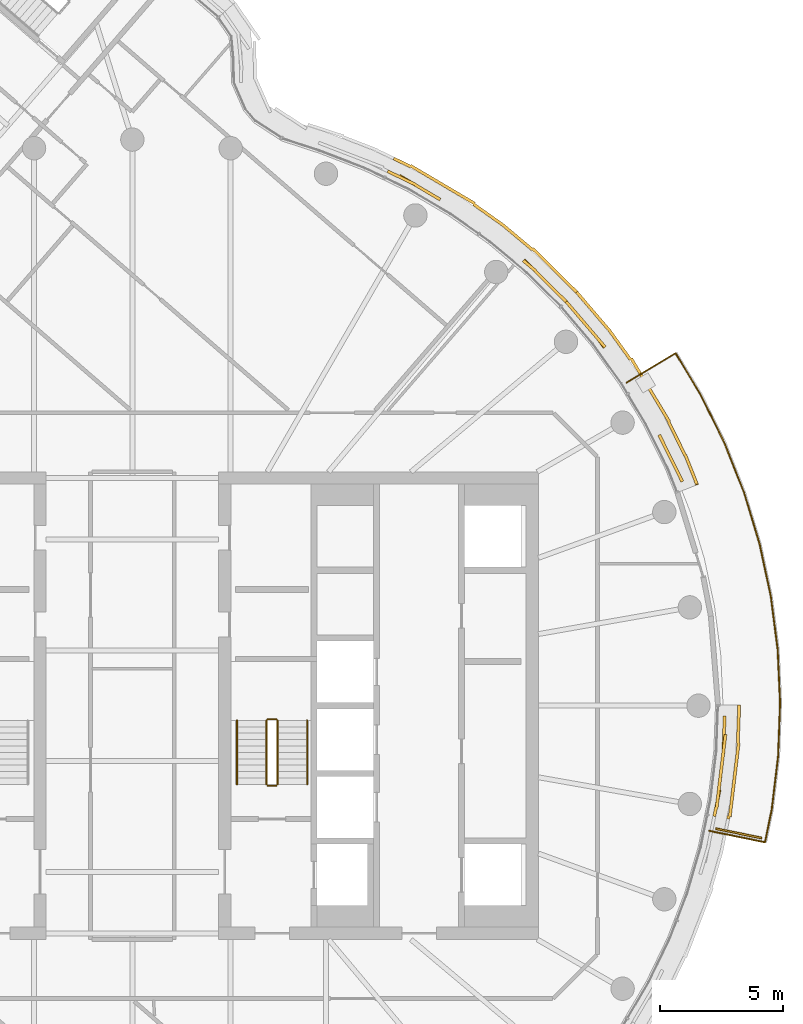
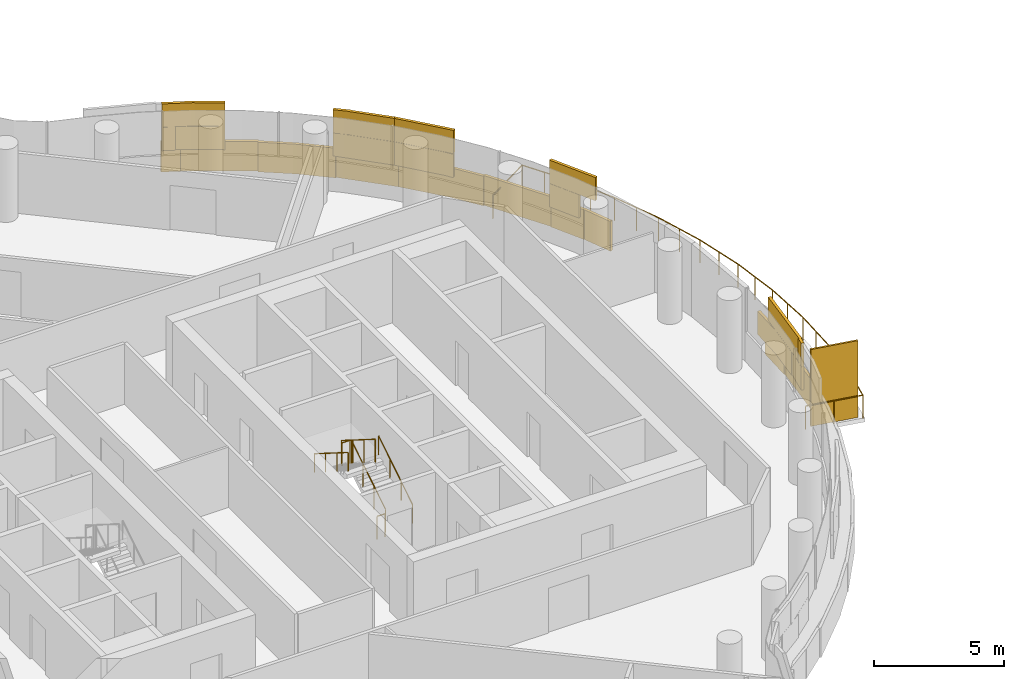
# One storey, part 29 of 32: 7 railings, 3 coverings, 1 shading device.
"""IFC4 building model written with IfcOpenShell, lengths in metres."""

from ifc_helpers import new_model, si_unit, direction, frame, origin, origin_2d, place, context, subcontext, project, spatial, rectangle, circle, extrude, material, layer, layer_set, type_object, element, save


model = new_model("IFC4")

# Units and contexts
model_context = context("Model", 3, precision=1e-05, world=origin(), true_north=direction((0.0, 1.0)))
body_context = subcontext(model_context, "Body", "Model", "MODEL_VIEW")
ifc_project = project(units=[si_unit("LENGTHUNIT", "METRE"), si_unit("AREAUNIT", "SQUARE_METRE"), si_unit("VOLUMEUNIT", "CUBIC_METRE"), si_unit("PLANEANGLEUNIT", "RADIAN"), si_unit("MASSUNIT", "GRAM", prefix="KILO")], contexts=[model_context])

# Site, building, storey
site_placement = place(None, origin())
site = spatial("IfcSite", under=ifc_project, at=site_placement, CompositionType="ELEMENT")
building_placement = place(site_placement, origin())
building = spatial("IfcBuilding", under=site, at=building_placement, Name="Tamarind Cross Interchange Tower", CompositionType="ELEMENT")
storey_placement = place(building_placement, frame((0.0, 0.0, 211.300048828125)))
storey = spatial("IfcBuildingStorey", under=building, at=storey_placement, Name="L53", CompositionType="ELEMENT", Elevation=211.300048828125)

# Railing
ifc_material_1 = material(Name="Stainless steel and laminated glass", Category="steel")
railing_type_1 = type_object("IfcRailingType", Name="Balcony guard", PredefinedType="BALUSTRADE", material=ifc_material_1)
railing_1_placement = place(storey_placement, frame((23.43212890625, -5.0830078125, 0.0)))
element("IfcRailing", 1, at=railing_1_placement, inside=storey, type_object=railing_type_1, Name="Balcony guard 06", PredefinedType="BALUSTRADE", context=body_context, shape_type="SweptSolid", body=[
    extrude(circle(Radius=0.02490234375, at=origin_2d()), frame((0.0, 0.0, 1.0751953125), z_axis=(0.979588887442, -0.201011471316, 0.0), x_axis=(0.201011471316, 0.979588887442, 0.0)), (0.0, 0.0, 1.0), 2.31982421875),
    extrude(circle(Radius=0.02490234375, at=origin_2d()), frame((2.2724609375, -0.46630859375, 1.0751953125), z_axis=(0.20095742399, 0.97959997639, 0.0), x_axis=(-0.97959997639, 0.20095742399, 0.0)), (0.0, 0.0, 1.0), 1.35693359375),
    extrude(circle(Radius=0.02490234375, at=origin_2d()), frame((2.545166015625, 0.863037109375, 1.0751953125), z_axis=(0.11941961124, 0.99284387315, 0.0), x_axis=(-0.99284387315, 0.11941961124, 0.0)), (0.0, 0.0, 1.0), 2.17529296875),
    extrude(circle(Radius=0.02490234375, at=origin_2d()), frame((2.804931640625, 3.022705078125, 1.0751953125), z_axis=(0.037040721085, 0.999313757026, 0.0), x_axis=(-0.999313757026, 0.037040721085, 0.0)), (0.0, 0.0, 1.0), 2.175048828125),
    extrude(circle(Radius=0.02490234375, at=origin_2d()), frame((2.885498046875, 5.1962890625, 1.0751953125), z_axis=(-0.045570585979, 0.998961121212, 0.0), x_axis=(-0.998961121212, -0.045570585979, 0.0)), (0.0, 0.0, 1.0), 2.175048828125),
    extrude(circle(Radius=0.02490234375, at=origin_2d()), frame((2.786376953125, 7.369140625, 1.0751953125), z_axis=(-0.127957091824, 0.991779704699, 0.0), x_axis=(-0.991779704699, -0.127957091824, 0.0)), (0.0, 0.0, 1.0), 2.175048828125),
    extrude(circle(Radius=0.02490234375, at=origin_2d()), frame((2.508056640625, 9.5263671875, 1.0751953125), z_axis=(-0.209437106955, 0.977822119933, 0.0), x_axis=(-0.977822119933, -0.209437106955, 0.0)), (0.0, 0.0, 1.0), 2.17529296875),
    extrude(circle(Radius=0.02490234375, at=origin_2d()), frame((2.052490234375, 11.6533203125, 1.0751953125), z_axis=(-0.289468424656, 0.957187563191, 0.0), x_axis=(-0.957187563191, -0.289468424656, 0.0)), (0.0, 0.0, 1.0), 2.175048828125),
    extrude(circle(Radius=0.02490234375, at=origin_2d()), frame((1.4228515625, 13.7353515625, 1.0751953125), z_axis=(-0.367439931593, 0.930047255074, 0.0), x_axis=(-0.930047255074, -0.367439931593, 0.0)), (0.0, 0.0, 1.0), 2.17529296875),
    extrude(circle(Radius=0.02490234375, at=origin_2d()), frame((0.62353515625, 15.758544921875, 1.0751953125), z_axis=(-0.443123395184, 0.896460627491, 0.0), x_axis=(-0.896460627491, -0.443123395184, 0.0)), (0.0, 0.0, 1.0), 2.175048828125),
    extrude(circle(Radius=0.02490234375, at=origin_2d()), frame((-0.34033203125, 17.70849609375, 1.0751953125), z_axis=(-0.515620820656, 0.856816882015, 0.0), x_axis=(-0.856816882015, -0.515620820656, 0.0)), (0.0, 0.0, 1.0), 1.977783203125),
    extrude(circle(Radius=0.02490234375, at=origin_2d()), frame((-1.360107421875, 19.403076171875, 1.0751953125), z_axis=(-0.856851544285, -0.515563217324, 0.0), x_axis=(0.515563217324, -0.856851544285, 0.0)), (0.0, 0.0, 1.0), 2.31982421875),
    extrude(circle(Radius=0.02001953125, at=origin_2d()), origin(), (0.0, 0.0, 1.0), 1.050048828125),
    extrude(circle(Radius=0.02001953125, at=origin_2d()), frame((1.13623046875, -0.233154296875, 0.0)), (0.0, 0.0, 1.0), 1.050048828125),
    extrude(circle(Radius=0.02001953125, at=origin_2d()), frame((2.2724609375, -0.46630859375, 0.0)), (0.0, 0.0, 1.0), 1.050048828125),
    extrude(circle(Radius=0.02001953125, at=origin_2d()), frame((2.40869140625, 0.1982421875, 0.0)), (0.0, 0.0, 1.0), 1.050048828125),
    extrude(circle(Radius=0.02001953125, at=origin_2d()), frame((2.545166015625, 0.863037109375, 0.0)), (0.0, 0.0, 1.0), 1.050048828125),
    extrude(circle(Radius=0.02001953125, at=origin_2d()), frame((2.675048828125, 1.94287109375, 0.0)), (0.0, 0.0, 1.0), 1.050048828125),
    extrude(circle(Radius=0.02001953125, at=origin_2d()), frame((2.804931640625, 3.022705078125, 0.0)), (0.0, 0.0, 1.0), 1.050048828125),
    extrude(circle(Radius=0.02001953125, at=origin_2d()), frame((2.84521484375, 4.109375, 0.0)), (0.0, 0.0, 1.0), 1.050048828125),
    extrude(circle(Radius=0.02001953125, at=origin_2d()), frame((2.885498046875, 5.1962890625, 0.0)), (0.0, 0.0, 1.0), 1.050048828125),
    extrude(circle(Radius=0.02001953125, at=origin_2d()), frame((2.8359375, 6.28271484375, 0.0)), (0.0, 0.0, 1.0), 1.050048828125),
    extrude(circle(Radius=0.02001953125, at=origin_2d()), frame((2.786376953125, 7.369140625, 0.0)), (0.0, 0.0, 1.0), 1.050048828125),
    extrude(circle(Radius=0.02001953125, at=origin_2d()), frame((2.647216796875, 8.44775390625, 0.0)), (0.0, 0.0, 1.0), 1.050048828125),
    extrude(circle(Radius=0.02001953125, at=origin_2d()), frame((2.508056640625, 9.5263671875, 0.0)), (0.0, 0.0, 1.0), 1.050048828125),
    extrude(circle(Radius=0.02001953125, at=origin_2d()), frame((2.2802734375, 10.58984375, 0.0)), (0.0, 0.0, 1.0), 1.050048828125),
    extrude(circle(Radius=0.02001953125, at=origin_2d()), frame((2.052490234375, 11.6533203125, 0.0)), (0.0, 0.0, 1.0), 1.050048828125),
    extrude(circle(Radius=0.02001953125, at=origin_2d()), frame((1.73779296875, 12.6943359375, 0.0)), (0.0, 0.0, 1.0), 1.050048828125),
    extrude(circle(Radius=0.02001953125, at=origin_2d()), frame((1.4228515625, 13.7353515625, 0.0)), (0.0, 0.0, 1.0), 1.050048828125),
    extrude(circle(Radius=0.02001953125, at=origin_2d()), frame((1.023193359375, 14.7470703125, 0.0)), (0.0, 0.0, 1.0), 1.050048828125),
    extrude(circle(Radius=0.02001953125, at=origin_2d()), frame((0.62353515625, 15.758544921875, 0.0)), (0.0, 0.0, 1.0), 1.050048828125),
    extrude(circle(Radius=0.02001953125, at=origin_2d()), frame((0.1416015625, 16.7333984375, 0.0)), (0.0, 0.0, 1.0), 1.050048828125),
    extrude(circle(Radius=0.02001953125, at=origin_2d()), frame((-0.34033203125, 17.70849609375, 0.0)), (0.0, 0.0, 1.0), 1.050048828125),
    extrude(circle(Radius=0.02001953125, at=origin_2d()), frame((-0.85009765625, 18.5556640625, 0.0)), (0.0, 0.0, 1.0), 1.050048828125),
    extrude(circle(Radius=0.02001953125, at=origin_2d()), frame((-1.360107421875, 19.403076171875, 0.0)), (0.0, 0.0, 1.0), 1.050048828125),
    extrude(circle(Radius=0.02001953125, at=origin_2d()), frame((-2.35400390625, 18.80517578125, 0.0)), (0.0, 0.0, 1.0), 1.050048828125),
    extrude(circle(Radius=0.02001953125, at=origin_2d()), frame((-3.347900390625, 18.20703125, 0.0)), (0.0, 0.0, 1.0), 1.050048828125),
])

# Shading device
ifc_material_2 = material(Name="Bronze-finish aluminium louvre", Category="aluminium")
ifc_layer_1 = layer(ifc_material_2, 0.080078125)
ifc_layer_set_1 = layer_set([ifc_layer_1], Name="Bronze-finish aluminium louvre")
shading_device_type = type_object("IfcShadingDeviceType", Name="Operable louvre bay", PredefinedType="JALOUSIE", material=ifc_layer_set_1)
shading_device_placement = place(storey_placement, origin())
element("IfcShadingDevice", 2, at=shading_device_placement, inside=storey, type_object=shading_device_type, Name="LVR-L53-BAL06", PredefinedType="JALOUSIE", context=body_context, shape_type="SweptSolid", body=[
    extrude(rectangle(XDim=1.89990234375, YDim=0.080078125, at=origin_2d()), frame((24.6357421875, -5.18701171875, 0.0), z_axis=(0.0, 0.0, 1.0), x_axis=(0.9795909409, -0.201001463943, 0.0)), (0.0, 0.0, 1.0), 3.60009765625),
])

# Railings
ifc_material_3 = material(Name="Stair guard")
railing_type_2 = type_object("IfcRailingType", Name="Stair guard", PredefinedType="GUARDRAIL", material=ifc_material_3)
railing_2_placement = place(storey_placement, frame((5.89990234375, -3.199951171875, 0.16357421875)))
element("IfcRailing", 3, at=railing_2_placement, inside=storey, type_object=railing_type_2, Name="L53 ST2 stair guard 1", PredefinedType="GUARDRAIL", context=body_context, shape_type="SweptSolid", body=[
    extrude(circle(Radius=0.02392578125, at=origin_2d()), frame((0.0, 0.0, 1.076171875), z_axis=(0.0, 0.846301844409, 0.532703658848), x_axis=(-1.0, 0.0, 0.0)), (0.0, 0.0, 1.0), 3.072021484375),
    extrude(circle(Radius=0.02099609375, at=origin_2d()), origin(), (0.0, 0.0, 1.0), 1.052001953125),
    extrude(circle(Radius=0.02099609375, at=origin_2d()), frame((0.0, 0.86669921875, 0.54541015625)), (0.0, 0.0, 1.0), 1.052001953125),
    extrude(circle(Radius=0.02099609375, at=origin_2d()), frame((0.0, 1.733154296875, 1.091064453125)), (0.0, 0.0, 1.0), 1.052001953125),
    extrude(circle(Radius=0.02099609375, at=origin_2d()), frame((0.0, 2.599853515625, 1.636474609375)), (0.0, 0.0, 1.0), 1.052001953125),
])
railing_3_placement = place(storey_placement, frame((5.85009765625, -0.550048828125, 1.800048828125)))
element("IfcRailing", 4, at=railing_3_placement, inside=storey, type_object=railing_type_2, Name="L53 ST2 stair guard 2", PredefinedType="GUARDRAIL", context=body_context, shape_type="SweptSolid", body=[
    extrude(circle(Radius=0.02392578125, at=origin_2d()), frame((0.0, 0.0, 1.076171875), z_axis=(-1.0, 0.0, 0.0), x_axis=(0.0, -1.0, 0.0)), (0.0, 0.0, 1.0), 0.35009765625),
    extrude(circle(Radius=0.02099609375, at=origin_2d()), origin(), (0.0, 0.0, 1.0), 1.052001953125),
    extrude(circle(Radius=0.02099609375, at=origin_2d()), frame((-0.35009765625, 0.0, 0.0)), (0.0, 0.0, 1.0), 1.052001953125),
])
railing_4_placement = place(storey_placement, frame((5.449951171875, -0.60009765625, 1.963623046875)))
element("IfcRailing", 5, at=railing_4_placement, inside=storey, type_object=railing_type_2, Name="L53 ST2 stair guard 3", PredefinedType="GUARDRAIL", context=body_context, shape_type="SweptSolid", body=[
    extrude(circle(Radius=0.02392578125, at=origin_2d()), frame((0.0, 0.0, 1.076171875), z_axis=(0.0, -0.846337672412, 0.532646734952), x_axis=(1.0, 0.0, 0.0)), (0.0, 0.0, 1.0), 3.07177734375),
    extrude(circle(Radius=0.02099609375, at=origin_2d()), origin(), (0.0, 0.0, 1.0), 1.052001953125),
    extrude(circle(Radius=0.02099609375, at=origin_2d()), frame((0.0, -0.86669921875, 0.54541015625)), (0.0, 0.0, 1.0), 1.052001953125),
    extrude(circle(Radius=0.02099609375, at=origin_2d()), frame((0.0, -1.733154296875, 1.0908203125)), (0.0, 0.0, 1.0), 1.052001953125),
    extrude(circle(Radius=0.02099609375, at=origin_2d()), frame((0.0, -2.599853515625, 1.63623046875)), (0.0, 0.0, 1.0), 1.052001953125),
])
railing_5_placement = place(storey_placement, frame((5.85009765625, -3.25, 0.0)))
element("IfcRailing", 6, at=railing_5_placement, inside=storey, type_object=railing_type_2, Name="L53 ST2 stair guard 4", PredefinedType="GUARDRAIL", context=body_context, shape_type="SweptSolid", body=[
    extrude(circle(Radius=0.02392578125, at=origin_2d()), frame((0.0, 0.0, 1.076171875), z_axis=(-1.0, 0.0, 0.0), x_axis=(0.0, -1.0, 0.0)), (0.0, 0.0, 1.0), 0.35009765625),
    extrude(circle(Radius=0.02099609375, at=origin_2d()), origin(), (0.0, 0.0, 1.0), 1.052001953125),
    extrude(circle(Radius=0.02099609375, at=origin_2d()), frame((-0.35009765625, 0.0, 0.0)), (0.0, 0.0, 1.0), 1.052001953125),
])
ifc_material_4 = material(Name="Stair handrail")
railing_type_3 = type_object("IfcRailingType", Name="Stair handrail", PredefinedType="HANDRAIL", material=ifc_material_4)
railing_6_placement = place(storey_placement, frame((7.10009765625, -3.199951171875, 0.16357421875)))
element("IfcRailing", 7, at=railing_6_placement, inside=storey, type_object=railing_type_3, Name="L53 ST2 stair handrail 1", PredefinedType="HANDRAIL", context=body_context, shape_type="SweptSolid", body=[
    extrude(circle(Radius=0.02392578125, at=origin_2d()), frame((0.0, 0.0, 0.8759765625), z_axis=(0.0, 0.846301844409, 0.532703658848), x_axis=(-1.0, 0.0, 0.0)), (0.0, 0.0, 1.0), 3.072021484375),
    extrude(circle(Radius=0.02099609375, at=origin_2d()), origin(), (0.0, 0.0, 1.0), 0.851806640625),
    extrude(circle(Radius=0.02099609375, at=origin_2d()), frame((0.0, 0.86669921875, 0.54541015625)), (0.0, 0.0, 1.0), 0.851806640625),
    extrude(circle(Radius=0.02099609375, at=origin_2d()), frame((0.0, 1.733154296875, 1.091064453125)), (0.0, 0.0, 1.0), 0.851806640625),
    extrude(circle(Radius=0.02099609375, at=origin_2d()), frame((0.0, 2.599853515625, 1.636474609375)), (0.0, 0.0, 1.0), 0.851806640625),
])
railing_7_placement = place(storey_placement, frame((4.25, -0.60009765625, 1.963623046875)))
element("IfcRailing", 8, at=railing_7_placement, inside=storey, type_object=railing_type_3, Name="L53 ST2 stair handrail 2", PredefinedType="HANDRAIL", context=body_context, shape_type="SweptSolid", body=[
    extrude(circle(Radius=0.02392578125, at=origin_2d()), frame((0.0, 0.0, 0.8759765625), z_axis=(0.0, -0.846337672412, 0.532646734952), x_axis=(1.0, 0.0, 0.0)), (0.0, 0.0, 1.0), 3.07177734375),
    extrude(circle(Radius=0.02099609375, at=origin_2d()), origin(), (0.0, 0.0, 1.0), 0.851806640625),
    extrude(circle(Radius=0.02099609375, at=origin_2d()), frame((0.0, -0.86669921875, 0.54541015625)), (0.0, 0.0, 1.0), 0.851806640625),
    extrude(circle(Radius=0.02099609375, at=origin_2d()), frame((0.0, -1.733154296875, 1.0908203125)), (0.0, 0.0, 1.0), 0.851806640625),
    extrude(circle(Radius=0.02099609375, at=origin_2d()), frame((0.0, -2.599853515625, 1.63623046875)), (0.0, 0.0, 1.0), 0.851806640625),
])

# Coverings
ifc_material_5 = material(Name="Terracotta", Category="masonry")
ifc_layer_2 = layer(ifc_material_5, 0.1201171875)
ifc_layer_set_2 = layer_set([ifc_layer_2], Name="Terracotta")
covering_type = type_object("IfcCoveringType", Name="Terracotta baguette screen unit", PredefinedType="MOLDING", material=ifc_layer_set_2)
covering_1_placement = place(storey_placement, origin())
element("IfcCovering", 9, at=covering_1_placement, inside=storey, type_object=covering_type, Name="SCR-L53-06-02", PredefinedType="MOLDING", context=body_context, shape_type="SweptSolid", body=[
    extrude(rectangle(XDim=1.103759765625, YDim=0.1201171875, at=origin_2d()), frame((23.755126953125, -3.956298828125, 1.40380859375), z_axis=(0.0, 0.0, 1.0), x_axis=(0.201001463943, 0.9795909409, 0.0)), (0.0, 0.0, 1.0), 1.092041015625),
    extrude(rectangle(XDim=1.52001953125, YDim=0.1201171875, at=origin_2d()), frame((23.917724609375, -2.670166015625, 1.40380859375), z_axis=(0.0, 0.0, 1.0), x_axis=(0.119420963295, 0.992843710523, 0.0)), (0.0, 0.0, 1.0), 1.092041015625),
    extrude(rectangle(XDim=1.52001953125, YDim=0.1201171875, at=origin_2d()), frame((24.038330078125, -1.17626953125, 1.40380859375), z_axis=(0.0, 0.0, 1.0), x_axis=(0.037024696392, 0.999314350871, 0.0)), (0.0, 0.0, 1.0), 1.092041015625),
    extrude(rectangle(XDim=0.353759765625, YDim=0.1201171875, at=origin_2d()), frame((23.6796875, -4.32373046875, 2.50390625), z_axis=(0.0, 0.0, 1.0), x_axis=(0.201001463943, 0.9795909409, 0.0)), (0.0, 0.0, 1.0), 1.092041015625),
    extrude(rectangle(XDim=1.52001953125, YDim=0.1201171875, at=origin_2d()), frame((23.828125, -3.414794921875, 2.50390625), z_axis=(0.0, 0.0, 1.0), x_axis=(0.119420963295, 0.992843710523, 0.0)), (0.0, 0.0, 1.0), 1.092041015625),
    extrude(rectangle(XDim=1.52001953125, YDim=0.1201171875, at=origin_2d()), frame((24.00732421875, -1.925537109375, 2.50390625), z_axis=(0.0, 0.0, 1.0), x_axis=(0.119420963295, 0.992843710523, 0.0)), (0.0, 0.0, 1.0), 1.092041015625),
    extrude(rectangle(XDim=0.122314453125, YDim=0.1201171875, at=origin_2d()), frame((24.221435546875, -4.5390625, 0.00390625), z_axis=(0.0, 0.0, 1.0), x_axis=(0.201001463943, 0.9795909409, 0.0)), (0.0, 0.0, 1.0), 1.39208984375),
    extrude(rectangle(XDim=1.52001953125, YDim=0.1201171875, at=origin_2d()), frame((24.36572265625, -3.751708984375, 0.00390625), z_axis=(0.0, 0.0, 1.0), x_axis=(0.119420963295, 0.992843710523, 0.0)), (0.0, 0.0, 1.0), 1.39208984375),
    extrude(rectangle(XDim=1.52001953125, YDim=0.1201171875, at=origin_2d()), frame((24.544921875, -2.262451171875, 0.00390625), z_axis=(0.0, 0.0, 1.0), x_axis=(0.119420963295, 0.992843710523, 0.0)), (0.0, 0.0, 1.0), 1.39208984375),
    extrude(rectangle(XDim=1.52001953125, YDim=0.1201171875, at=origin_2d()), frame((24.6279296875, -0.765625, 0.00390625), z_axis=(0.0, 0.0, 1.0), x_axis=(0.037024696392, 0.999314350871, 0.0)), (0.0, 0.0, 1.0), 1.39208984375),
    extrude(rectangle(XDim=0.057861328125, YDim=0.1201171875, at=origin_2d()), frame((24.656494140625, 0.0029296875, 0.00390625), z_axis=(0.0, 0.0, 1.0), x_axis=(0.037024696392, 0.999314350871, 0.0)), (0.0, 0.0, 1.0), 1.39208984375),
    extrude(rectangle(XDim=0.03076171875, YDim=0.1201171875, at=origin_2d()), frame((22.941650390625, 8.98828125, 0.00390625), z_axis=(0.0, 0.0, 1.0), x_axis=(-0.367513773146, 0.930018078613, 0.0)), (0.0, 0.0, 1.0), 1.39208984375),
])
covering_2_placement = place(storey_placement, origin())
element("IfcCovering", 10, at=covering_2_placement, inside=storey, type_object=covering_type, Name="SCR-L53-06-03", PredefinedType="MOLDING", context=body_context, shape_type="SweptSolid", body=[
    extrude(rectangle(XDim=1.364990234375, YDim=0.1201171875, at=origin_2d()), frame((21.708251953125, 10.3916015625, 1.40380859375), z_axis=(0.0, 0.0, 1.0), x_axis=(-0.443058811505, 0.896492548518, 0.0)), (0.0, 0.0, 1.0), 1.092041015625),
    extrude(rectangle(XDim=0.454833984375, YDim=0.1201171875, at=origin_2d()), frame((19.048095703125, 14.73046875, 1.40380859375), z_axis=(0.0, 0.0, 1.0), x_axis=(-0.584573890505, 0.811340475102, 0.0)), (0.0, 0.0, 1.0), 1.092041015625),
    extrude(rectangle(XDim=1.52001953125, YDim=0.1201171875, at=origin_2d()), frame((18.427978515625, 15.47900390625, 1.40380859375), z_axis=(0.0, 0.0, 1.0), x_axis=(-0.64957723968, 0.760295606781, 0.0)), (0.0, 0.0, 1.0), 1.092041015625),
    extrude(rectangle(XDim=0.486572265625, YDim=0.1201171875, at=origin_2d()), frame((17.785888671875, 16.230224609375, 1.40380859375), z_axis=(0.0, 0.0, 1.0), x_axis=(-0.64957723968, 0.760295606781, 0.0)), (0.0, 0.0, 1.0), 1.092041015625),
    extrude(rectangle(XDim=1.52001953125, YDim=0.1201171875, at=origin_2d()), frame((22.008544921875, 9.7841796875, 2.50390625), z_axis=(0.0, 0.0, 1.0), x_axis=(-0.443058811505, 0.896492548518, 0.0)), (0.0, 0.0, 1.0), 1.092041015625),
    extrude(rectangle(XDim=0.614990234375, YDim=0.1201171875, at=origin_2d()), frame((21.542236328125, 10.727783203125, 2.50390625), z_axis=(0.0, 0.0, 1.0), x_axis=(-0.443058811505, 0.896492548518, 0.0)), (0.0, 0.0, 1.0), 1.092041015625),
    extrude(rectangle(XDim=1.204833984375, YDim=0.1201171875, at=origin_2d()), frame((18.81591796875, 15.024658203125, 2.50390625), z_axis=(0.0, 0.0, 1.0), x_axis=(-0.64957723968, 0.760295606781, 0.0)), (0.0, 0.0, 1.0), 1.092041015625),
    extrude(rectangle(XDim=1.236572265625, YDim=0.1201171875, at=origin_2d()), frame((18.029541015625, 15.9453125, 2.50390625), z_axis=(0.0, 0.0, 1.0), x_axis=(-0.64957723968, 0.760295606781, 0.0)), (0.0, 0.0, 1.0), 1.092041015625),
    extrude(rectangle(XDim=1.2724609375, YDim=0.1201171875, at=origin_2d()), frame((22.7021484375, 9.594482421875, 0.00390625), z_axis=(0.0, 0.0, 1.0), x_axis=(-0.367513773146, 0.930018078613, 0.0)), (0.0, 0.0, 1.0), 1.39208984375),
    extrude(rectangle(XDim=1.52001953125, YDim=0.1201171875, at=origin_2d()), frame((22.12548828125, 10.843017578125, 0.00390625), z_axis=(0.0, 0.0, 1.0), x_axis=(-0.443058811505, 0.896492548518, 0.0)), (0.0, 0.0, 1.0), 1.39208984375),
    extrude(rectangle(XDim=1.52001953125, YDim=0.1201171875, at=origin_2d()), frame((21.43212890625, 12.171875, 0.00390625), z_axis=(0.0, 0.0, 1.0), x_axis=(-0.515577308909, 0.856843065292, 0.0)), (0.0, 0.0, 1.0), 1.39208984375),
    extrude(rectangle(XDim=1.52001953125, YDim=0.1201171875, at=origin_2d()), frame((20.65869140625, 13.45703125, 0.00390625), z_axis=(0.0, 0.0, 1.0), x_axis=(-0.515577308909, 0.856843065292, 0.0)), (0.0, 0.0, 1.0), 1.39208984375),
    extrude(rectangle(XDim=1.52001953125, YDim=0.1201171875, at=origin_2d()), frame((19.79150390625, 14.680419921875, 0.00390625), z_axis=(0.0, 0.0, 1.0), x_axis=(-0.584573890505, 0.811340475102, 0.0)), (0.0, 0.0, 1.0), 1.39208984375),
    extrude(rectangle(XDim=1.52001953125, YDim=0.1201171875, at=origin_2d()), frame((18.861083984375, 15.85546875, 0.00390625), z_axis=(0.0, 0.0, 1.0), x_axis=(-0.64957723968, 0.760295606781, 0.0)), (0.0, 0.0, 1.0), 1.39208984375),
    extrude(rectangle(XDim=0.506103515625, YDim=0.1201171875, at=origin_2d()), frame((18.216064453125, 16.610595703125, 0.00390625), z_axis=(0.0, 0.0, 1.0), x_axis=(-0.64957723968, 0.760295606781, 0.0)), (0.0, 0.0, 1.0), 1.39208984375),
])
covering_3_placement = place(storey_placement, origin())
element("IfcCovering", 11, at=covering_3_placement, inside=storey, type_object=covering_type, Name="SCR-L53-06-04", PredefinedType="MOLDING", context=body_context, shape_type="SweptSolid", body=[
    extrude(rectangle(XDim=1.033447265625, YDim=0.1201171875, at=origin_2d()), frame((17.26611328125, 16.77001953125, 1.40380859375), z_axis=(0.0, 0.0, 1.0), x_axis=(-0.710143317658, 0.704057148523, 0.0)), (0.0, 0.0, 1.0), 1.092041015625),
    extrude(rectangle(XDim=1.407958984375, YDim=0.1201171875, at=origin_2d()), frame((16.40625, 17.62255859375, 1.40380859375), z_axis=(0.0, 0.0, 1.0), x_axis=(-0.710143317658, 0.704057148523, 0.0)), (0.0, 0.0, 1.0), 1.092041015625),
    extrude(rectangle(XDim=0.411865234375, YDim=0.1201171875, at=origin_2d()), frame((12.3291015625, 20.667724609375, 1.40380859375), z_axis=(0.0, 0.0, 1.0), x_axis=(-0.861248933065, 0.508183308752, 0.0)), (0.0, 0.0, 1.0), 1.092041015625),
    extrude(rectangle(XDim=1.52001953125, YDim=0.1201171875, at=origin_2d()), frame((11.51025390625, 21.15087890625, 1.40380859375), z_axis=(0.0, 0.0, 1.0), x_axis=(-0.861248933065, 0.508183308752, 0.0)), (0.0, 0.0, 1.0), 1.092041015625),
    extrude(rectangle(XDim=0.52978515625, YDim=0.1201171875, at=origin_2d()), frame((10.607177734375, 21.60205078125, 1.40380859375), z_axis=(0.0, 0.0, 1.0), x_axis=(-0.900272776334, 0.435326231914, 0.0)), (0.0, 0.0, 1.0), 1.092041015625),
    extrude(rectangle(XDim=0.283447265625, YDim=0.1201171875, at=origin_2d()), frame((17.5322265625, 16.506103515625, 2.50390625), z_axis=(0.0, 0.0, 1.0), x_axis=(-0.710143317658, 0.704057148523, 0.0)), (0.0, 0.0, 1.0), 1.092041015625),
    extrude(rectangle(XDim=1.52001953125, YDim=0.1201171875, at=origin_2d()), frame((16.902587890625, 17.13037109375, 2.50390625), z_axis=(0.0, 0.0, 1.0), x_axis=(-0.710143317658, 0.704057148523, 0.0)), (0.0, 0.0, 1.0), 1.092041015625),
    extrude(rectangle(XDim=0.657958984375, YDim=0.1201171875, at=origin_2d()), frame((16.13232421875, 17.878173828125, 2.50390625), z_axis=(0.0, 0.0, 1.0), x_axis=(-0.765858396687, 0.643009266048, 0.0)), (0.0, 0.0, 1.0), 1.092041015625),
    extrude(rectangle(XDim=1.161865234375, YDim=0.1201171875, at=origin_2d()), frame((12.006103515625, 20.858154296875, 2.50390625), z_axis=(0.0, 0.0, 1.0), x_axis=(-0.861248933065, 0.508183308752, 0.0)), (0.0, 0.0, 1.0), 1.092041015625),
    extrude(rectangle(XDim=1.27978515625, YDim=0.1201171875, at=origin_2d()), frame((10.94482421875, 21.43896484375, 2.50390625), z_axis=(0.0, 0.0, 1.0), x_axis=(-0.900272776334, 0.435326231914, 0.0)), (0.0, 0.0, 1.0), 1.092041015625),
    extrude(rectangle(XDim=1.013916015625, YDim=0.1201171875, at=origin_2d()), frame((17.68994140625, 17.158203125, 0.00390625), z_axis=(0.0, 0.0, 1.0), x_axis=(-0.710143317658, 0.704057148523, 0.0)), (0.0, 0.0, 1.0), 1.39208984375),
    extrude(rectangle(XDim=1.52001953125, YDim=0.1201171875, at=origin_2d()), frame((16.804443359375, 18.0361328125, 0.00390625), z_axis=(0.0, 0.0, 1.0), x_axis=(-0.710143317658, 0.704057148523, 0.0)), (0.0, 0.0, 1.0), 1.39208984375),
    extrude(rectangle(XDim=1.52001953125, YDim=0.1201171875, at=origin_2d()), frame((15.669677734375, 19.01611328125, 0.00390625), z_axis=(0.0, 0.0, 1.0), x_axis=(-0.765858396687, 0.643009266048, 0.0)), (0.0, 0.0, 1.0), 1.39208984375),
    extrude(rectangle(XDim=1.52001953125, YDim=0.1201171875, at=origin_2d()), frame((14.4853515625, 19.934326171875, 0.00390625), z_axis=(0.0, 0.0, 1.0), x_axis=(-0.816341886298, 0.577568978284, 0.0)), (0.0, 0.0, 1.0), 1.39208984375),
    extrude(rectangle(XDim=1.52001953125, YDim=0.1201171875, at=origin_2d()), frame((13.253173828125, 20.788818359375, 0.00390625), z_axis=(0.0, 0.0, 1.0), x_axis=(-0.861248933065, 0.508183308752, 0.0)), (0.0, 0.0, 1.0), 1.39208984375),
    extrude(rectangle(XDim=1.52001953125, YDim=0.1201171875, at=origin_2d()), frame((11.961181640625, 21.55126953125, 0.00390625), z_axis=(0.0, 0.0, 1.0), x_axis=(-0.861248933065, 0.508183308752, 0.0)), (0.0, 0.0, 1.0), 1.39208984375),
    extrude(rectangle(XDim=0.764892578125, YDim=0.1201171875, at=origin_2d()), frame((10.965087890625, 22.066650390625, 0.00390625), z_axis=(0.0, 0.0, 1.0), x_axis=(-0.900272776334, 0.435326231914, 0.0)), (0.0, 0.0, 1.0), 1.39208984375),
])

save(model, "model.ifc")
